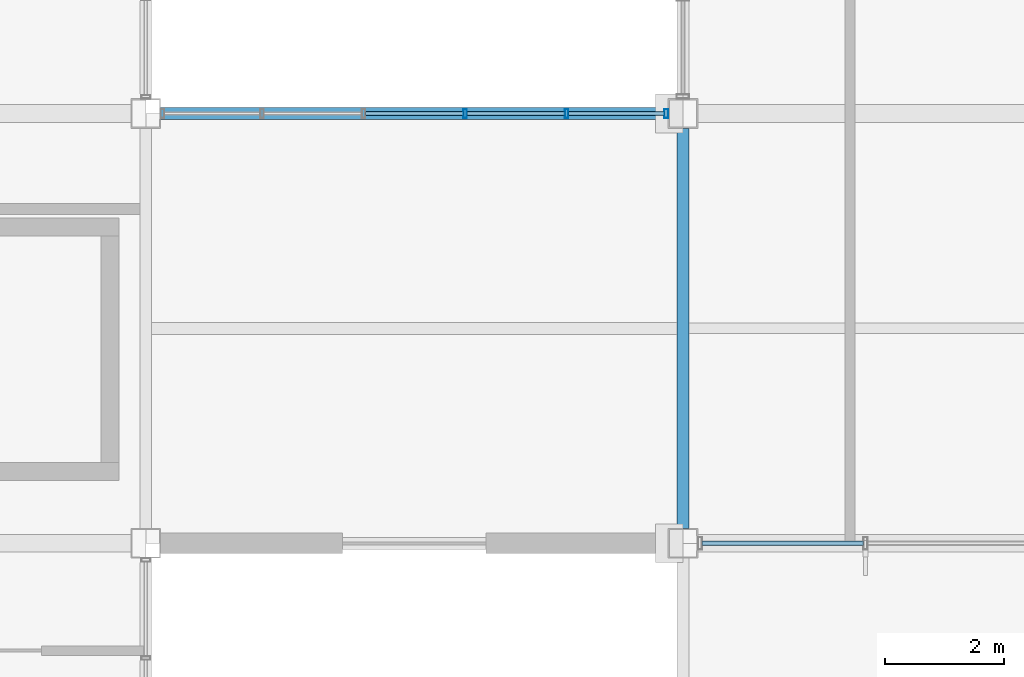
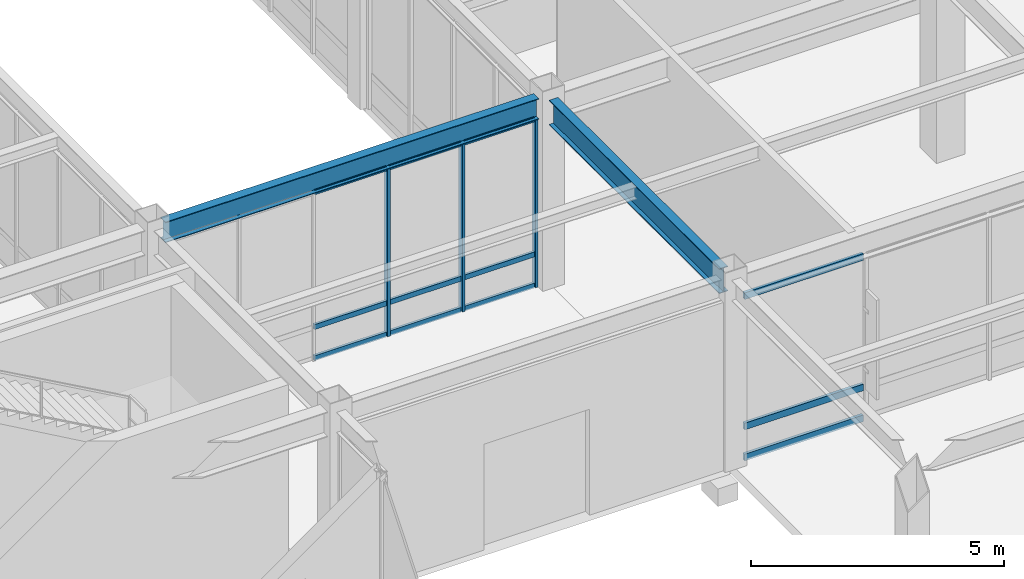
# One storey, part 21 of 112: 15 members, 2 beams, 2 elements without a shape of their own.
"""IFC4 building model written with IfcOpenShell, lengths in metres."""

import ifcopenshell
import ifcopenshell.guid

model = None  # the IFC model being written
_history = None  # IfcOwnerHistory: only IFC2X3 demands one
_inside = {}  # id of a spatial element -> (the spatial element, [elements in it])
_under = {}  # id of a project, library or spatial element -> (it, [spatial elements below it])
_declared = {}  # id of a project -> (the project, [libraries it declares])
_typed = {}  # id of a type object -> (the type object, [elements of that type])
_made_of = {}  # id of a material, layer set ... -> (it, [elements and type objects made of it])


def new_model(schema):
    """Start an empty IFC model of exactly this schema.

    Asked for "IFC4X3", IfcOpenShell would pick the latest addendum, in which some entities
    have other attributes; the version numbers below select the first issue.
    IFC2X3 requires an IfcOwnerHistory on every rooted entity: one is made here for all.
    """
    global model, _history
    if schema == "IFC4X3":
        model = ifcopenshell.file(schema_version=(4, 3, 0, 0))
    else:
        model = ifcopenshell.file(schema=schema)
    _inside.clear()
    _under.clear()
    _declared.clear()
    _typed.clear()
    _made_of.clear()
    _history = None
    if model.schema == "IFC2X3":
        org = make("IfcOrganization", Name="unknown")
        user = make(
            "IfcPersonAndOrganization",
            ThePerson=make("IfcPerson", FamilyName="unknown"),
            TheOrganization=org,
        )
        app = make(
            "IfcApplication",
            ApplicationDeveloper=org,
            Version="unknown",
            ApplicationFullName="unknown",
            ApplicationIdentifier="unknown",
        )
        _history = make(
            "IfcOwnerHistory",
            OwningUser=user,
            OwningApplication=app,
            ChangeAction="ADDED",
            CreationDate=0,
        )
    return model


def make(cls, **values):
    """One entity of the class cls with the attributes given. An attribute that is None is left unset."""
    return model.create_entity(
        cls, **{name: value for name, value in values.items() if value is not None}
    )


def rooted(cls, **values):
    """An entity with a GlobalId (a new one), such as an element, a storey or a relation."""
    return make(cls, GlobalId=ifcopenshell.guid.new(), OwnerHistory=_history, **values)


def si_unit(unit_type, name, prefix=None):
    """IfcSIUnit, for example si_unit("LENGTHUNIT", "METRE", prefix="MILLI")."""
    return make("IfcSIUnit", UnitType=unit_type, Prefix=prefix, Name=name)


def assignment(units):
    """IfcUnitAssignment: the units of a project."""
    return None if units is None else make("IfcUnitAssignment", Units=units)


def point(xyz):
    """IfcCartesianPoint."""
    return None if xyz is None else make("IfcCartesianPoint", Coordinates=xyz)


def direction(xyz):
    """IfcDirection."""
    return None if xyz is None else make("IfcDirection", DirectionRatios=xyz)


def frame(location, z_axis=None, x_axis=None):
    """IfcAxis2Placement3D, a coordinate frame: its origin and axes. An axis left out is left unset."""
    return make(
        "IfcAxis2Placement3D",
        Location=point(location),
        Axis=direction(z_axis),
        RefDirection=direction(x_axis),
    )


def frame_2d(location, x_axis=None):
    """IfcAxis2Placement2D, a coordinate frame in the plane: its origin and x axis."""
    return make(
        "IfcAxis2Placement2D", Location=point(location), RefDirection=direction(x_axis)
    )


def origin():
    """The frame at (0, 0, 0) with its axes left unset."""
    return frame((0.0, 0.0, 0.0))


def origin_2d():
    """The frame at (0, 0) in the plane with its x axis left unset."""
    return frame_2d((0.0, 0.0))


def place(relative_to, where):
    """IfcLocalPlacement: puts the frame where relative to a parent placement (None: the world)."""
    return make(
        "IfcLocalPlacement", PlacementRelTo=relative_to, RelativePlacement=where
    )


def context(
    kind, dimensions, precision=None, world=None, true_north=None, identifier=None
):
    """IfcGeometricRepresentationContext, for example the 3D "Model" context."""
    return make(
        "IfcGeometricRepresentationContext",
        ContextIdentifier=identifier,
        ContextType=kind,
        CoordinateSpaceDimension=dimensions,
        Precision=precision,
        WorldCoordinateSystem=world,
        TrueNorth=true_north,
    )


def subcontext(parent, identifier, kind, view, scale=None):
    """IfcGeometricRepresentationSubContext, for example "Body" below "Model"."""
    return make(
        "IfcGeometricRepresentationSubContext",
        ContextIdentifier=identifier,
        ContextType=kind,
        ParentContext=parent,
        TargetScale=scale,
        TargetView=view,
    )


def project(units=None, contexts=None):
    """IfcProject with its units and contexts."""
    return rooted(
        "IfcProject",
        Name="project",
        RepresentationContexts=contexts,
        UnitsInContext=assignment(units),
    )


def spatial(cls, under=None, at=None, **own):
    """A site, building, storey or space (cls), placed at a placement, below another one or the project."""
    s = rooted(cls, ObjectPlacement=at, **own)
    if under is not None:
        _under.setdefault(under.id(), (under, []))[1].append(s)
    return s


def profile(cls, at=None, kind="AREA", **sizes):
    """A parametric profile (cls). Its sizes go by their IFC names, for example OverallWidth=200.0."""
    return make(cls, ProfileType=kind, Position=at, **sizes)


def hollow_rectangle(**sizes):
    """IfcRectangleHollowProfileDef."""
    return profile("IfcRectangleHollowProfileDef", **sizes)


def i_section(**sizes):
    """IfcIShapeProfileDef."""
    return profile("IfcIShapeProfileDef", **sizes)


def extrude(swept, where, along, depth):
    """IfcExtrudedAreaSolid: the profile swept, set in the frame where, extruded along a direction by depth."""
    return make(
        "IfcExtrudedAreaSolid",
        SweptArea=swept,
        Position=where,
        ExtrudedDirection=direction(along),
        Depth=depth,
    )


def shape(context_of_items, identifier, shape_type, items):
    """IfcShapeRepresentation: the items that make up one representation, for example the "Body"."""
    return make(
        "IfcShapeRepresentation",
        ContextOfItems=context_of_items,
        RepresentationIdentifier=identifier,
        RepresentationType=shape_type,
        Items=items,
    )


def material(Name=None, Category=None):
    """IfcMaterial."""
    return make("IfcMaterial", Name=Name, Category=Category)


def material_profile(
    of_material, cross_section, Name=None, Category=None, Priority=None
):
    """IfcMaterialProfile: a cross section and its material."""
    return make(
        "IfcMaterialProfile",
        Name=Name,
        Material=of_material,
        Profile=cross_section,
        Priority=Priority,
        Category=Category,
    )


def profile_set(profiles, Name=None, composite=None):
    """IfcMaterialProfileSet."""
    return make(
        "IfcMaterialProfileSet",
        Name=Name,
        MaterialProfiles=profiles,
        CompositeProfile=composite,
    )


def made_of(thing, what):
    """Note that an element or type object is made of a material, layer set ...; save() writes the relation."""
    if what is not None:
        _made_of.setdefault(what.id(), (what, []))[1].append(thing)
    return thing


def type_object(cls, material=None, **own):
    """A type object (cls), such as IfcWallType, which elements share."""
    return made_of(rooted(cls, **own), material)


def element(
    cls,
    number,
    at=None,
    inside=None,
    cuts=None,
    type_object=None,
    material=None,
    context=None,
    identifier="Body",
    shape_type=None,
    held_by="IfcProductDefinitionShape",
    body=None,
    shapes=None,
    **own,
):
    """One element of the class cls, such as IfcWall. Its Tag is "e" and its number.

    at: its placement. inside: the storey or other place that contains it. cuts: it is an
    opening in that element (IfcRelVoidsElement). A single representation is given by context,
    identifier, shape_type and body (its items); several are given by shapes. held_by: the class
    of the entity that holds the representations. save() writes the other relations.
    """
    e = rooted(cls, Tag="e%d" % number, ObjectPlacement=at, **own)
    if body is not None:
        shapes = [shape(context, identifier, shape_type, body)]
    if shapes is not None:
        e.Representation = make(held_by, Representations=shapes)
    if inside is not None:
        _inside.setdefault(inside.id(), (inside, []))[1].append(e)
    if cuts is not None:
        rooted(
            "IfcRelVoidsElement", RelatingBuildingElement=cuts, RelatedOpeningElement=e
        )
    if type_object is not None:
        _typed.setdefault(type_object.id(), (type_object, []))[1].append(e)
    return made_of(e, material)


def aggregate(whole, parts):
    """IfcRelAggregates: a whole, such as a stair, and the parts it consists of."""
    return rooted("IfcRelAggregates", RelatingObject=whole, RelatedObjects=parts)


def save(model, path):
    """Write the relations noted so far, then the file.

    IfcRelAggregates (storeys below a building ...), IfcRelContainedInSpatialStructure (elements
    in a storey), IfcRelDefinesByType, IfcRelAssociatesMaterial and IfcRelDeclares: one each for
    every whole, place, type object, material and project.
    """
    for whole, parts in _under.values():
        aggregate(whole, parts)
    for where, things in _inside.values():
        rooted(
            "IfcRelContainedInSpatialStructure",
            RelatedElements=things,
            RelatingStructure=where,
        )
    for kind, things in _typed.values():
        rooted("IfcRelDefinesByType", RelatedObjects=things, RelatingType=kind)
    for what, things in _made_of.values():
        rooted("IfcRelAssociatesMaterial", RelatedObjects=things, RelatingMaterial=what)
    for by, libraries in _declared.values():
        rooted("IfcRelDeclares", RelatingContext=by, RelatedDefinitions=libraries)
    model.write(path)


model = new_model("IFC4")

# Units and contexts
model_context = context("Model", 3, precision=1e-05, world=origin(), true_north=direction((0.0, 1.0)))
body_context = subcontext(model_context, "Body", "Model", "MODEL_VIEW")
ifc_project = project(units=[si_unit("LENGTHUNIT", "METRE"), si_unit("AREAUNIT", "SQUARE_METRE"), si_unit("VOLUMEUNIT", "CUBIC_METRE"), si_unit("PLANEANGLEUNIT", "RADIAN"), si_unit("MASSUNIT", "GRAM", prefix="KILO")], contexts=[model_context])

# Site, building, storey
site_placement = place(None, origin())
site = spatial("IfcSite", under=ifc_project, at=site_placement, CompositionType="ELEMENT")
building_placement = place(site_placement, origin())
building = spatial("IfcBuilding", under=site, at=building_placement, Name="Kazanami Central Library", CompositionType="ELEMENT")
storey_placement = place(building_placement, origin())
storey = spatial("IfcBuildingStorey", under=building, at=storey_placement, Name="L01", CompositionType="ELEMENT", Elevation=0.0)

# Beams
ifc_material_1 = material(Name="Steel SN490B (325 MPa)", Category="steel")
ifc_material_profile_1 = material_profile(ifc_material_1, i_section(OverallWidth=0.199951171875, OverallDepth=0.60009765625, WebThickness=0.010986328125, FlangeThickness=0.01708984375, at=origin_2d()), Name="H-600x200x11x17")
ifc_profile_set_1 = profile_set([ifc_material_profile_1], Name="Steel SN490B (325 MPa)")
beam_type_1 = type_object("IfcBeamType", Name="BM-G-Y1", PredefinedType="BEAM", material=ifc_profile_set_1)
beam_1_placement = place(storey_placement, frame((45.0, 21.847900390625, 4.2548828125), z_axis=(0.0, 1.0, 0.0), x_axis=(-1.0, 0.0, 0.0)))
element("IfcBeam", 1, at=beam_1_placement, inside=storey, type_object=beam_type_1, Name="Girder G-Y1 L01 6/D-E", PredefinedType="BEAM", context=body_context, shape_type="SweptSolid", body=[
    extrude(i_section(OverallWidth=0.199951171875, OverallDepth=0.60009765625, WebThickness=0.010986328125, FlangeThickness=0.01708984375, at=origin_2d()), origin(), (0.0, 0.0, 1.0), 6.7041015625),
])
ifc_material_profile_2 = material_profile(ifc_material_1, i_section(OverallWidth=0.199951171875, OverallDepth=0.5, WebThickness=0.010009765625, FlangeThickness=0.01611328125, at=origin_2d()), Name="H-500x200x10x16")
ifc_profile_set_2 = profile_set([ifc_material_profile_2], Name="Steel SN490B (325 MPa)")
beam_type_2 = type_object("IfcBeamType", Name="BM-SP-1", PredefinedType="SPANDREL", material=ifc_profile_set_2)
beam_2_placement = place(storey_placement, frame((36.248046875, 28.800048828125, 4.304931640625), z_axis=(1.0, 0.0, 0.0), x_axis=(0.0, 1.0, 0.0)))
element("IfcBeam", 2, at=beam_2_placement, inside=storey, type_object=beam_type_2, Name="Covered Link Bridge Girder SP-1 L01 E/5-6", PredefinedType="SPANDREL", context=body_context, shape_type="SweptSolid", body=[
    extrude(i_section(OverallWidth=0.199951171875, OverallDepth=0.5, WebThickness=0.010009765625, FlangeThickness=0.01611328125, at=origin_2d()), origin(), (0.0, 0.0, 1.0), 8.50390625),
])

# Curtain wall, members
ifc_material_2 = material(Name="Acid-Etched Low-E Laminated Glass", Category="glass")
curtain_wall_type_1 = type_object("IfcCurtainWallType", Name="CW-8500x4055-M180", PredefinedType="USERDEFINED", material=ifc_material_2)
curtain_wall_1_placement = place(storey_placement, origin())
curtain_wall_1 = element("IfcCurtainWall", 3, at=curtain_wall_1_placement, inside=storey, type_object=curtain_wall_type_1, Name="Covered Link Bridge Curtain Wall CW-02 L01 N-E-04", ObjectType="UNITISED CURTAIN WALL", PredefinedType="USERDEFINED")
ifc_material_3 = material(Name="Anodised Aluminium A6063-T5", Category="aluminium")
ifc_material_profile_3 = material_profile(ifc_material_3, hollow_rectangle(XDim=0.06005859375, YDim=0.14990234375, WallThickness=0.00390625, at=origin_2d()), Name="ALU-MULL-60x150x4")
ifc_profile_set_3 = profile_set([ifc_material_profile_3], Name="Anodised Aluminium A6063-T5")
member_type_1 = type_object("IfcMemberType", Name="MEM-CW-M3", PredefinedType="MULLION", material=ifc_profile_set_3)
member_1_placement = place(storey_placement, frame((44.719970703125, 28.800048828125, 0.0), z_axis=(0.0, 0.0, 1.0), x_axis=(-1.0, 0.0, 0.0)))
member_1 = element("IfcMember", 4, at=member_1_placement, type_object=member_type_1, Name="CW-02 mullion 1", PredefinedType="MULLION", context=body_context, shape_type="SweptSolid", body=[
    extrude(hollow_rectangle(XDim=0.06005859375, YDim=0.14990234375, WallThickness=0.00390625, at=origin_2d()), origin(), (0.0, 0.0, 1.0), 4.054931640625),
])
member_2_placement = place(storey_placement, frame((43.050048828125, 28.800048828125, 0.0), z_axis=(0.0, 0.0, 1.0), x_axis=(-1.0, 0.0, 0.0)))
member_2 = element("IfcMember", 5, at=member_2_placement, type_object=member_type_1, Name="CW-02 mullion 2", PredefinedType="MULLION", context=body_context, shape_type="SweptSolid", body=[
    extrude(hollow_rectangle(XDim=0.06005859375, YDim=0.14990234375, WallThickness=0.00390625, at=origin_2d()), origin(), (0.0, 0.0, 1.0), 4.054931640625),
])
member_3_placement = place(storey_placement, frame((41.35009765625, 28.800048828125, 0.0), z_axis=(0.0, 0.0, 1.0), x_axis=(-1.0, 0.0, 0.0)))
member_3 = element("IfcMember", 6, at=member_3_placement, type_object=member_type_1, Name="CW-02 mullion 3", PredefinedType="MULLION", context=body_context, shape_type="SweptSolid", body=[
    extrude(hollow_rectangle(XDim=0.06005859375, YDim=0.14990234375, WallThickness=0.00390625, at=origin_2d()), origin(), (0.0, 0.0, 1.0), 4.054931640625),
])

curtain_wall_type_2 = type_object("IfcCurtainWallType", Name="CW-8425x3955-M275", PredefinedType="USERDEFINED", material=ifc_material_2)
curtain_wall_2_placement = place(storey_placement, origin())
curtain_wall_2 = element("IfcCurtainWall", 7, at=curtain_wall_2_placement, inside=storey, type_object=curtain_wall_type_2, Name="Unitised Curtain Wall CW-01 L01 S-D-05", ObjectType="UNITISED CURTAIN WALL", PredefinedType="USERDEFINED")
ifc_material_profile_4 = material_profile(ifc_material_3, hollow_rectangle(XDim=0.070068359375, YDim=0.159912109375, WallThickness=0.00390625, at=origin_2d()), Name="ALU-TRAN-70x160x4")
ifc_profile_set_4 = profile_set([ifc_material_profile_4], Name="Anodised Aluminium A6063-T5")
member_type_2 = type_object("IfcMemberType", Name="MEM-CW-T1", PredefinedType="USERDEFINED", material=ifc_profile_set_4)
member_4_placement = place(storey_placement, frame((45.320068359375, 21.60009765625, 0.034912109375), z_axis=(1.0, 0.0, 0.0), x_axis=(0.0, 1.0, 0.0)))
member_4 = element("IfcMember", 8, at=member_4_placement, type_object=member_type_2, Name="CW-01 transom 1.1", ObjectType="TRANSOM", PredefinedType="USERDEFINED", context=body_context, shape_type="SweptSolid", body=[
    extrude(hollow_rectangle(XDim=0.070068359375, YDim=0.159912109375, WallThickness=0.00390625, at=origin_2d()), origin(), (0.0, 0.0, 1.0), 2.703369140625),
])
member_5_placement = place(storey_placement, frame((45.320068359375, 21.60009765625, 0.780029296875), z_axis=(1.0, 0.0, 0.0), x_axis=(0.0, 1.0, 0.0)))
member_5 = element("IfcMember", 9, at=member_5_placement, type_object=member_type_2, Name="CW-01 transom 1.2", ObjectType="TRANSOM", PredefinedType="USERDEFINED", context=body_context, shape_type="SweptSolid", body=[
    extrude(hollow_rectangle(XDim=0.070068359375, YDim=0.159912109375, WallThickness=0.00390625, at=origin_2d()), origin(), (0.0, 0.0, 1.0), 2.703369140625),
])
member_6_placement = place(storey_placement, frame((45.320068359375, 21.60009765625, 3.919921875), z_axis=(1.0, 0.0, 0.0), x_axis=(0.0, 1.0, 0.0)))
member_6 = element("IfcMember", 10, at=member_6_placement, type_object=member_type_2, Name="CW-01 transom 1.3", ObjectType="TRANSOM", PredefinedType="USERDEFINED", context=body_context, shape_type="SweptSolid", body=[
    extrude(hollow_rectangle(XDim=0.070068359375, YDim=0.159912109375, WallThickness=0.00390625, at=origin_2d()), origin(), (0.0, 0.0, 1.0), 2.703369140625),
])
aggregate(curtain_wall_2, [member_4, member_5, member_6])

# Member
ifc_material_profile_5 = material_profile(ifc_material_3, hollow_rectangle(XDim=0.06005859375, YDim=0.1201171875, WallThickness=0.00341796875, at=origin_2d()), Name="ALU-TRAN-60x120x3.5")
ifc_profile_set_5 = profile_set([ifc_material_profile_5], Name="Anodised Aluminium A6063-T5")
member_type_3 = type_object("IfcMemberType", Name="MEM-CW-T3", PredefinedType="USERDEFINED", material=ifc_profile_set_5)
member_7_placement = place(storey_placement, frame((44.68994140625, 28.800048828125, 0.030029296875), z_axis=(-1.0, 0.0, 0.0), x_axis=(0.0, -1.0, 0.0)))
member_7 = element("IfcMember", 11, at=member_7_placement, type_object=member_type_3, Name="CW-02 transom 1.1", ObjectType="TRANSOM", PredefinedType="USERDEFINED", context=body_context, shape_type="SweptSolid", body=[
    extrude(hollow_rectangle(XDim=0.06005859375, YDim=0.1201171875, WallThickness=0.00341796875, at=origin_2d()), origin(), (0.0, 0.0, 1.0), 1.60986328125),
])

member_8_placement = place(storey_placement, frame((44.68994140625, 28.800048828125, 0.780029296875), z_axis=(-1.0, 0.0, 0.0), x_axis=(0.0, -1.0, 0.0)))
member_8 = element("IfcMember", 12, at=member_8_placement, type_object=member_type_3, Name="CW-02 transom 1.2", ObjectType="TRANSOM", PredefinedType="USERDEFINED", context=body_context, shape_type="SweptSolid", body=[
    extrude(hollow_rectangle(XDim=0.06005859375, YDim=0.1201171875, WallThickness=0.00341796875, at=origin_2d()), origin(), (0.0, 0.0, 1.0), 1.60986328125),
])

member_9_placement = place(storey_placement, frame((44.68994140625, 28.800048828125, 4.02490234375), z_axis=(-1.0, 0.0, 0.0), x_axis=(0.0, -1.0, 0.0)))
member_9 = element("IfcMember", 13, at=member_9_placement, type_object=member_type_3, Name="CW-02 transom 1.3", ObjectType="TRANSOM", PredefinedType="USERDEFINED", context=body_context, shape_type="SweptSolid", body=[
    extrude(hollow_rectangle(XDim=0.06005859375, YDim=0.1201171875, WallThickness=0.00341796875, at=origin_2d()), origin(), (0.0, 0.0, 1.0), 1.60986328125),
])

member_10_placement = place(storey_placement, frame((43.02001953125, 28.800048828125, 0.030029296875), z_axis=(-1.0, 0.0, 0.0), x_axis=(0.0, -1.0, 0.0)))
member_10 = element("IfcMember", 14, at=member_10_placement, type_object=member_type_3, Name="CW-02 transom 2.1", ObjectType="TRANSOM", PredefinedType="USERDEFINED", context=body_context, shape_type="SweptSolid", body=[
    extrude(hollow_rectangle(XDim=0.06005859375, YDim=0.1201171875, WallThickness=0.00341796875, at=origin_2d()), origin(), (0.0, 0.0, 1.0), 1.64013671875),
])

member_11_placement = place(storey_placement, frame((43.02001953125, 28.800048828125, 0.780029296875), z_axis=(-1.0, 0.0, 0.0), x_axis=(0.0, -1.0, 0.0)))
member_11 = element("IfcMember", 15, at=member_11_placement, type_object=member_type_3, Name="CW-02 transom 2.2", ObjectType="TRANSOM", PredefinedType="USERDEFINED", context=body_context, shape_type="SweptSolid", body=[
    extrude(hollow_rectangle(XDim=0.06005859375, YDim=0.1201171875, WallThickness=0.00341796875, at=origin_2d()), origin(), (0.0, 0.0, 1.0), 1.64013671875),
])

member_12_placement = place(storey_placement, frame((43.02001953125, 28.800048828125, 4.02490234375), z_axis=(-1.0, 0.0, 0.0), x_axis=(0.0, -1.0, 0.0)))
member_12 = element("IfcMember", 16, at=member_12_placement, type_object=member_type_3, Name="CW-02 transom 2.3", ObjectType="TRANSOM", PredefinedType="USERDEFINED", context=body_context, shape_type="SweptSolid", body=[
    extrude(hollow_rectangle(XDim=0.06005859375, YDim=0.1201171875, WallThickness=0.00341796875, at=origin_2d()), origin(), (0.0, 0.0, 1.0), 1.64013671875),
])

member_13_placement = place(storey_placement, frame((41.320068359375, 28.800048828125, 0.030029296875), z_axis=(-1.0, 0.0, 0.0), x_axis=(0.0, -1.0, 0.0)))
member_13 = element("IfcMember", 17, at=member_13_placement, type_object=member_type_3, Name="CW-02 transom 3.1", ObjectType="TRANSOM", PredefinedType="USERDEFINED", context=body_context, shape_type="SweptSolid", body=[
    extrude(hollow_rectangle(XDim=0.06005859375, YDim=0.1201171875, WallThickness=0.00341796875, at=origin_2d()), origin(), (0.0, 0.0, 1.0), 1.64013671875),
])

member_14_placement = place(storey_placement, frame((41.320068359375, 28.800048828125, 0.780029296875), z_axis=(-1.0, 0.0, 0.0), x_axis=(0.0, -1.0, 0.0)))
member_14 = element("IfcMember", 18, at=member_14_placement, type_object=member_type_3, Name="CW-02 transom 3.2", ObjectType="TRANSOM", PredefinedType="USERDEFINED", context=body_context, shape_type="SweptSolid", body=[
    extrude(hollow_rectangle(XDim=0.06005859375, YDim=0.1201171875, WallThickness=0.00341796875, at=origin_2d()), origin(), (0.0, 0.0, 1.0), 1.64013671875),
])

member_15_placement = place(storey_placement, frame((41.320068359375, 28.800048828125, 4.02490234375), z_axis=(-1.0, 0.0, 0.0), x_axis=(0.0, -1.0, 0.0)))
member_15 = element("IfcMember", 19, at=member_15_placement, type_object=member_type_3, Name="CW-02 transom 3.3", ObjectType="TRANSOM", PredefinedType="USERDEFINED", context=body_context, shape_type="SweptSolid", body=[
    extrude(hollow_rectangle(XDim=0.06005859375, YDim=0.1201171875, WallThickness=0.00341796875, at=origin_2d()), origin(), (0.0, 0.0, 1.0), 1.64013671875),
])

aggregate(curtain_wall_1, [member_1, member_2, member_3, member_7, member_8, member_9, member_10, member_11, member_12, member_13, member_14, member_15])

save(model, "model.ifc")
